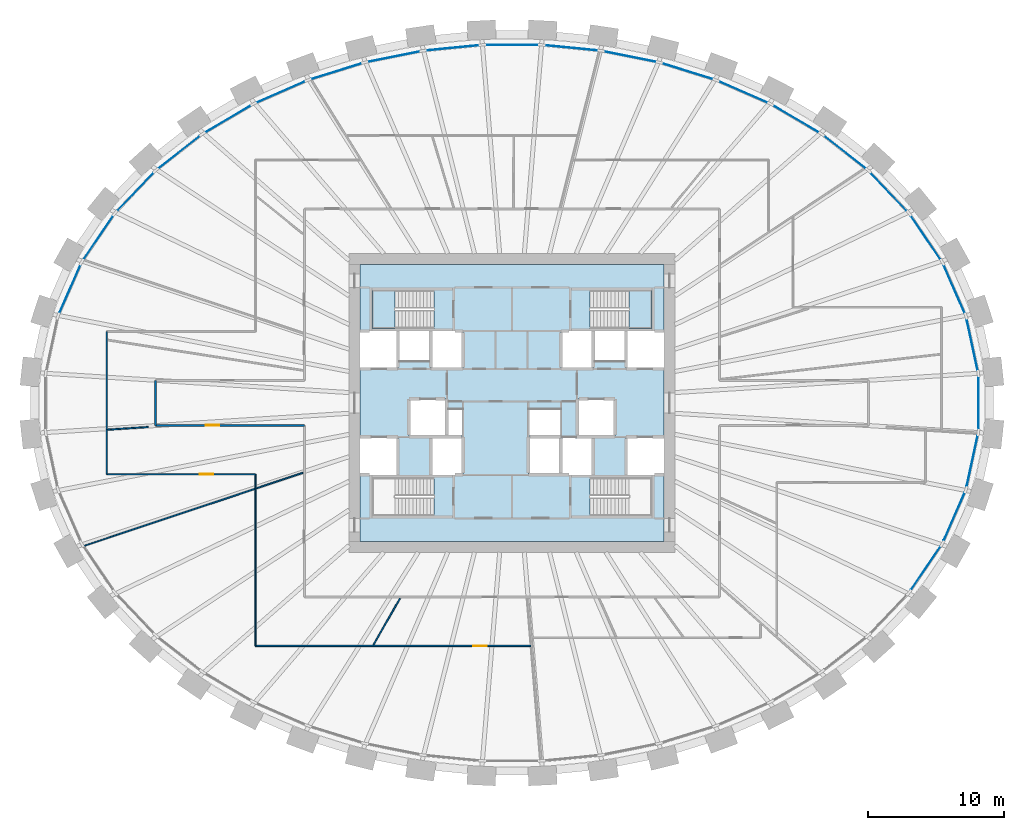
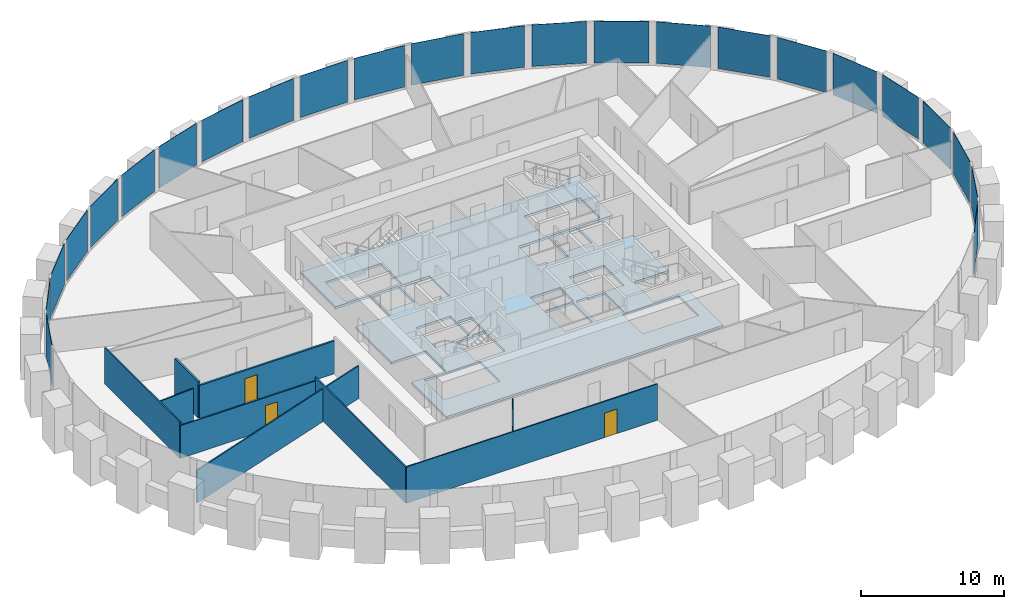
# One storey, part 5 of 11: 24 plates, 9 walls, 3 doors, 3 slabs, 3 openings, 3 elements without a shape of their own.
"""IFC4 building model written with IfcOpenShell, lengths in metres."""

from ifc_helpers import new_model, si_unit, direction, frame, frame_2d, origin, origin_2d, place, context, subcontext, project, spatial, polyline, rectangle, outline, extrude, source, transform, mapped, material, layer, layer_set, type_object, element, fill, aggregate, save


model = new_model("IFC4")

# Units and contexts
model_context = context("Model", 3, precision=1e-05, world=origin(), true_north=direction((0.0, 1.0)))
body_context = subcontext(model_context, "Body", "Model", "MODEL_VIEW")
ifc_project = project(units=[si_unit("LENGTHUNIT", "METRE"), si_unit("AREAUNIT", "SQUARE_METRE"), si_unit("VOLUMEUNIT", "CUBIC_METRE"), si_unit("PLANEANGLEUNIT", "RADIAN"), si_unit("MASSUNIT", "GRAM", prefix="KILO")], contexts=[model_context])

# Site, building, storey
site_placement = place(None, origin())
site = spatial("IfcSite", under=ifc_project, at=site_placement, CompositionType="ELEMENT")
building_placement = place(site_placement, origin())
building = spatial("IfcBuilding", under=site, at=building_placement, Name="Embergate Tower", CompositionType="ELEMENT")
storey_placement = place(building_placement, frame((0.0, 0.0, 215.10009765625)))
storey = spatial("IfcBuildingStorey", under=building, at=storey_placement, Name="L49", CompositionType="ELEMENT", Elevation=215.10009765625)

# Curtain wall, plates
ifc_material_1 = material(Name="Aluminium and glass", Category="aluminium")
curtain_wall_type = type_object("IfcCurtainWallType", Name="Recessed office glazing", PredefinedType="NOTDEFINED", material=ifc_material_1)
curtain_wall_placement = place(storey_placement, origin())
curtain_wall = element("IfcCurtainWall", 1, at=curtain_wall_placement, inside=storey, type_object=curtain_wall_type, Name="Recessed office glazing ring", ObjectType="RECESSED OFFICE GLAZING", PredefinedType="USERDEFINED")
ifc_material_2 = material(Name="Triple glazing, low-emissivity coating", Category="glass")
ifc_layer_1 = layer(ifc_material_2, 0.035888671875)
ifc_layer_set_1 = layer_set([ifc_layer_1], Name="Triple glazing, low-emissivity coating")
plate_type = type_object("IfcPlateType", Name="Office glazing unit", PredefinedType="CURTAIN_PANEL", material=ifc_layer_set_1)
shared_shape_1 = source(origin(), body_context, "Body", "SweptSolid", [
    extrude(rectangle(XDim=3.813232421875, YDim=0.035888671875, at=origin_2d()), origin(), (0.0, 0.0, 1.0), 3.550048828125),
])
plate_1_placement = place(storey_placement, frame((33.897216796875, 4.283447265625, 0.14990234375), z_axis=(0.0, 0.0, 1.0), x_axis=(-0.210394978653, 0.977616465163, 0.0)))
plate_1 = element("IfcPlate", 2, at=plate_1_placement, type_object=plate_type, Name="CW panel 1.1", PredefinedType="CURTAIN_PANEL", context=body_context, shape_type="MappedRepresentation", body=[
    mapped(shared_shape_1, transform((0.0, 0.0, 0.0))),
])
plate_2_placement = place(storey_placement, frame((33.897216796875, -4.283447265625, 0.14990234375), z_axis=(0.0, 0.0, 1.0), x_axis=(0.210394978653, 0.977616465163, 0.0)))
plate_2 = element("IfcPlate", 3, at=plate_2_placement, type_object=plate_type, Name="CW panel 43.1", PredefinedType="CURTAIN_PANEL", context=body_context, shape_type="MappedRepresentation", body=[
    mapped(shared_shape_1, transform((0.0, 0.0, 0.0))),
])
shared_shape_2 = source(origin(), body_context, "Body", "SweptSolid", [
    extrude(rectangle(XDim=3.820068359375, YDim=0.035888671875, at=origin_2d()), origin(), (0.0, 0.0, 1.0), 3.550048828125),
])
plate_3_placement = place(storey_placement, frame((32.569580078125, 8.388916015625, 0.14990234375), z_axis=(0.0, 0.0, 1.0), x_axis=(-0.401648904437, 0.915793730905, 0.0)))
plate_3 = element("IfcPlate", 4, at=plate_3_placement, type_object=plate_type, Name="CW panel 2.1", PredefinedType="CURTAIN_PANEL", context=body_context, shape_type="MappedRepresentation", body=[
    mapped(shared_shape_2, transform((0.0, 0.0, 0.0))),
])
plate_4_placement = place(storey_placement, frame((-32.569580078125, 8.388916015625, 0.14990234375), z_axis=(0.0, 0.0, 1.0), x_axis=(-0.401648904437, -0.915793730905, 0.0)))
plate_4 = element("IfcPlate", 5, at=plate_4_placement, type_object=plate_type, Name="CW panel 20.1", PredefinedType="CURTAIN_PANEL", context=body_context, shape_type="MappedRepresentation", body=[
    mapped(shared_shape_2, transform((0.0, 0.0, 0.0))),
])
plate_5_placement = place(storey_placement, frame((32.569580078125, -8.388916015625, 0.14990234375), z_axis=(0.0, 0.0, 1.0), x_axis=(0.401648904437, 0.915793730905, 0.0)))
plate_5 = element("IfcPlate", 6, at=plate_5_placement, type_object=plate_type, Name="CW panel 42.1", PredefinedType="CURTAIN_PANEL", context=body_context, shape_type="MappedRepresentation", body=[
    mapped(shared_shape_2, transform((0.0, 0.0, 0.0))),
])
shared_shape_3 = source(origin(), body_context, "Body", "SweptSolid", [
    extrude(rectangle(XDim=3.828857421875, YDim=0.035888671875, at=origin_2d()), origin(), (0.0, 0.0, 1.0), 3.550048828125),
])
plate_6_placement = place(storey_placement, frame((30.475341796875, 12.17431640625, 0.14990234375), z_axis=(0.0, 0.0, 1.0), x_axis=(-0.562337412243, 0.826907875638, 0.0)))
plate_6 = element("IfcPlate", 7, at=plate_6_placement, type_object=plate_type, Name="CW panel 3.1", PredefinedType="CURTAIN_PANEL", context=body_context, shape_type="MappedRepresentation", body=[
    mapped(shared_shape_3, transform((0.0, 0.0, 0.0))),
])
plate_7_placement = place(storey_placement, frame((-30.475341796875, 12.17431640625, 0.14990234375), z_axis=(0.0, 0.0, 1.0), x_axis=(-0.562337412243, -0.826907875638, 0.0)))
plate_7 = element("IfcPlate", 8, at=plate_7_placement, type_object=plate_type, Name="CW panel 19.1", PredefinedType="CURTAIN_PANEL", context=body_context, shape_type="MappedRepresentation", body=[
    mapped(shared_shape_3, transform((0.0, 0.0, 0.0))),
])
plate_8_placement = place(storey_placement, frame((30.475341796875, -12.17431640625, 0.14990234375), z_axis=(0.0, 0.0, 1.0), x_axis=(0.562337412243, 0.826907875638, 0.0)))
plate_8 = element("IfcPlate", 9, at=plate_8_placement, type_object=plate_type, Name="CW panel 41.1", PredefinedType="CURTAIN_PANEL", context=body_context, shape_type="MappedRepresentation", body=[
    mapped(shared_shape_3, transform((0.0, 0.0, 0.0))),
])
shared_shape_4 = source(origin(), body_context, "Body", "SweptSolid", [
    extrude(rectangle(XDim=3.83740234375, YDim=0.035888671875, at=origin_2d()), origin(), (0.0, 0.0, 1.0), 3.550048828125),
])
plate_9_placement = place(storey_placement, frame((27.748779296875, 15.549072265625, 0.14990234375), z_axis=(0.0, 0.0, 1.0), x_axis=(-0.690128732196, 0.72368662624, 0.0)))
plate_9 = element("IfcPlate", 10, at=plate_9_placement, type_object=plate_type, Name="CW panel 4.1", PredefinedType="CURTAIN_PANEL", context=body_context, shape_type="MappedRepresentation", body=[
    mapped(shared_shape_4, transform((0.0, 0.0, 0.0))),
])
plate_10_placement = place(storey_placement, frame((-27.748779296875, 15.549072265625, 0.14990234375), z_axis=(0.0, 0.0, 1.0), x_axis=(-0.690128732196, -0.72368662624, 0.0)))
plate_10 = element("IfcPlate", 11, at=plate_10_placement, type_object=plate_type, Name="CW panel 18.1", PredefinedType="CURTAIN_PANEL", context=body_context, shape_type="MappedRepresentation", body=[
    mapped(shared_shape_4, transform((0.0, 0.0, 0.0))),
])
shared_shape_5 = source(origin(), body_context, "Body", "SweptSolid", [
    extrude(rectangle(XDim=3.844970703125, YDim=0.035888671875, at=origin_2d()), origin(), (0.0, 0.0, 1.0), 3.550048828125),
])
plate_11_placement = place(storey_placement, frame((24.52490234375, 18.468505859375, 0.14990234375), z_axis=(0.0, 0.0, 1.0), x_axis=(-0.788315823873, 0.615270803656, 0.0)))
plate_11 = element("IfcPlate", 12, at=plate_11_placement, type_object=plate_type, Name="CW panel 5.1", PredefinedType="CURTAIN_PANEL", context=body_context, shape_type="MappedRepresentation", body=[
    mapped(shared_shape_5, transform((0.0, 0.0, 0.0))),
])
plate_12_placement = place(storey_placement, frame((-24.52490234375, 18.468505859375, 0.14990234375), z_axis=(0.0, 0.0, 1.0), x_axis=(-0.788315823873, -0.615270803656, 0.0)))
plate_12 = element("IfcPlate", 13, at=plate_12_placement, type_object=plate_type, Name="CW panel 17.1", PredefinedType="CURTAIN_PANEL", context=body_context, shape_type="MappedRepresentation", body=[
    mapped(shared_shape_5, transform((0.0, 0.0, 0.0))),
])
shared_shape_6 = source(origin(), body_context, "Body", "SweptSolid", [
    extrude(rectangle(XDim=3.850830078125, YDim=0.035888671875, at=origin_2d()), origin(), (0.0, 0.0, 1.0), 3.550048828125),
])
plate_13_placement = place(storey_placement, frame((20.920654296875, 20.9189453125, 0.14990234375), z_axis=(0.0, 0.0, 1.0), x_axis=(-0.862049629534, 0.506823871004, 0.0)))
plate_13 = element("IfcPlate", 14, at=plate_13_placement, type_object=plate_type, Name="CW panel 6.1", PredefinedType="CURTAIN_PANEL", context=body_context, shape_type="MappedRepresentation", body=[
    mapped(shared_shape_6, transform((0.0, 0.0, 0.0))),
])
plate_14_placement = place(storey_placement, frame((-20.920654296875, 20.9189453125, 0.14990234375), z_axis=(0.0, 0.0, 1.0), x_axis=(-0.862049629534, -0.506823871004, 0.0)))
plate_14 = element("IfcPlate", 15, at=plate_14_placement, type_object=plate_type, Name="CW panel 16.1", PredefinedType="CURTAIN_PANEL", context=body_context, shape_type="MappedRepresentation", body=[
    mapped(shared_shape_6, transform((0.0, 0.0, 0.0))),
])
shared_shape_7 = source(origin(), body_context, "Body", "SweptSolid", [
    extrude(rectangle(XDim=3.855224609375, YDim=0.035888671875, at=origin_2d()), origin(), (0.0, 0.0, 1.0), 3.550048828125),
])
plate_15_placement = place(storey_placement, frame((17.0322265625, 22.903076171875, 0.14990234375), z_axis=(0.0, 0.0, 1.0), x_axis=(-0.916233414734, 0.400644892298, 0.0)))
plate_15 = element("IfcPlate", 16, at=plate_15_placement, type_object=plate_type, Name="CW panel 7.1", PredefinedType="CURTAIN_PANEL", context=body_context, shape_type="MappedRepresentation", body=[
    mapped(shared_shape_7, transform((0.0, 0.0, 0.0))),
])
plate_16_placement = place(storey_placement, frame((-17.0322265625, 22.903076171875, 0.14990234375), z_axis=(0.0, 0.0, 1.0), x_axis=(-0.916233414734, -0.400644892298, 0.0)))
plate_16 = element("IfcPlate", 17, at=plate_16_placement, type_object=plate_type, Name="CW panel 15.1", PredefinedType="CURTAIN_PANEL", context=body_context, shape_type="MappedRepresentation", body=[
    mapped(shared_shape_7, transform((0.0, 0.0, 0.0))),
])
shared_shape_8 = source(origin(), body_context, "Body", "SweptSolid", [
    extrude(rectangle(XDim=3.8583984375, YDim=0.035888671875, at=origin_2d()), origin(), (0.0, 0.0, 1.0), 3.550048828125),
])
plate_17_placement = place(storey_placement, frame((12.9375, 24.430419921875, 0.14990234375), z_axis=(0.0, 0.0, 1.0), x_axis=(-0.954770660302, 0.297343212847, 0.0)))
plate_17 = element("IfcPlate", 18, at=plate_17_placement, type_object=plate_type, Name="CW panel 8.1", PredefinedType="CURTAIN_PANEL", context=body_context, shape_type="MappedRepresentation", body=[
    mapped(shared_shape_8, transform((0.0, 0.0, 0.0))),
])
plate_18_placement = place(storey_placement, frame((-12.9375, 24.430419921875, 0.14990234375), z_axis=(0.0, 0.0, 1.0), x_axis=(-0.954770660302, -0.297343212847, 0.0)))
plate_18 = element("IfcPlate", 19, at=plate_18_placement, type_object=plate_type, Name="CW panel 14.1", PredefinedType="CURTAIN_PANEL", context=body_context, shape_type="MappedRepresentation", body=[
    mapped(shared_shape_8, transform((0.0, 0.0, 0.0))),
])
shared_shape_9 = source(origin(), body_context, "Body", "SweptSolid", [
    extrude(rectangle(XDim=3.860595703125, YDim=0.035888671875, at=origin_2d()), origin(), (0.0, 0.0, 1.0), 3.550048828125),
])
plate_19_placement = place(storey_placement, frame((8.69970703125, 25.51220703125, 0.14990234375), z_axis=(0.0, 0.0, 1.0), x_axis=(-0.980475221003, 0.196642673395, 0.0)))
plate_19 = element("IfcPlate", 20, at=plate_19_placement, type_object=plate_type, Name="CW panel 9.1", PredefinedType="CURTAIN_PANEL", context=body_context, shape_type="MappedRepresentation", body=[
    mapped(shared_shape_9, transform((0.0, 0.0, 0.0))),
])
plate_20_placement = place(storey_placement, frame((-8.69970703125, 25.51220703125, 0.14990234375), z_axis=(0.0, 0.0, 1.0), x_axis=(-0.980475221003, -0.196642673395, 0.0)))
plate_20 = element("IfcPlate", 21, at=plate_20_placement, type_object=plate_type, Name="CW panel 13.1", PredefinedType="CURTAIN_PANEL", context=body_context, shape_type="MappedRepresentation", body=[
    mapped(shared_shape_9, transform((0.0, 0.0, 0.0))),
])
shared_shape_10 = source(origin(), body_context, "Body", "SweptSolid", [
    extrude(rectangle(XDim=3.862060546875, YDim=0.035888671875, at=origin_2d()), origin(), (0.0, 0.0, 1.0), 3.550048828125),
])
plate_21_placement = place(storey_placement, frame((4.37158203125, 26.1572265625, 0.14990234375), z_axis=(0.0, 0.0, 1.0), x_axis=(-0.995203014042, 0.097831287645, 0.0)))
plate_21 = element("IfcPlate", 22, at=plate_21_placement, type_object=plate_type, Name="CW panel 10.1", PredefinedType="CURTAIN_PANEL", context=body_context, shape_type="MappedRepresentation", body=[
    mapped(shared_shape_10, transform((0.0, 0.0, 0.0))),
])
plate_22_placement = place(storey_placement, frame((-4.37158203125, 26.1572265625, 0.14990234375), z_axis=(0.0, 0.0, 1.0), x_axis=(-0.995203014042, -0.097831287645, 0.0)))
plate_22 = element("IfcPlate", 23, at=plate_22_placement, type_object=plate_type, Name="CW panel 12.1", PredefinedType="CURTAIN_PANEL", context=body_context, shape_type="MappedRepresentation", body=[
    mapped(shared_shape_10, transform((0.0, 0.0, 0.0))),
])
shared_shape_11 = source(origin(), body_context, "Body", "SweptSolid", [
    extrude(rectangle(XDim=3.8623046875, YDim=0.035888671875, at=origin_2d()), origin(), (0.0, 0.0, 1.0), 3.550048828125),
])
plate_23_placement = place(storey_placement, frame((0.0, 26.37158203125, 0.14990234375), z_axis=(0.0, 0.0, 1.0), x_axis=(-1.0, 0.0, 0.0)))
plate_23 = element("IfcPlate", 24, at=plate_23_placement, type_object=plate_type, Name="CW panel 11.1", PredefinedType="CURTAIN_PANEL", context=body_context, shape_type="MappedRepresentation", body=[
    mapped(shared_shape_11, transform((0.0, 0.0, 0.0))),
])
shared_shape_12 = source(origin(), body_context, "Body", "SweptSolid", [
    extrude(rectangle(XDim=3.810546875, YDim=0.035888671875, at=origin_2d()), origin(), (0.0, 0.0, 1.0), 3.550048828125),
])
plate_24_placement = place(storey_placement, frame((34.35302734375, 0.0, 0.14990234375), z_axis=(0.0, 0.0, 1.0), x_axis=(0.0, 1.0, 0.0)))
plate_24 = element("IfcPlate", 25, at=plate_24_placement, type_object=plate_type, Name="CW panel 44.1", PredefinedType="CURTAIN_PANEL", context=body_context, shape_type="MappedRepresentation", body=[
    mapped(shared_shape_12, transform((0.0, 0.0, 0.0))),
])
aggregate(curtain_wall, [plate_1, plate_3, plate_6, plate_9, plate_11, plate_13, plate_15, plate_17, plate_19, plate_21, plate_23, plate_22, plate_20, plate_18, plate_16, plate_14, plate_12, plate_10, plate_7, plate_4, plate_8, plate_5, plate_2, plate_24])

# Stair, slab
ifc_material_3 = material(Name="Exit stair")
stair_type = type_object("IfcStairType", Name="Exit stair", PredefinedType="HALF_TURN_STAIR", material=ifc_material_3)
stair_1_placement = place(storey_placement, origin())
stair_1 = element("IfcStair", 26, at=stair_1_placement, inside=storey, type_object=stair_type, Name="L49 Exit stair 1", PredefinedType="HALF_TURN_STAIR")
ifc_material_4 = material(Name="Concrete C40", Category="concrete")
ifc_layer_2 = layer(ifc_material_4, 0.199951171875)
ifc_layer_set_2 = layer_set([ifc_layer_2], Name="Concrete C40")
slab_type_1 = type_object("IfcSlabType", Name="Stair landing reinforced concrete", PredefinedType="LANDING", material=ifc_layer_set_2)
shared_shape_13 = source(origin(), body_context, "Body", "SweptSolid", [
    extrude(outline(polyline([(0.0, 0.0), (1.68994140625, 0.0), (1.68994140625, 2.800048828125), (0.0, 2.800048828125), (0.0, 0.0)])), origin(), (0.0, 0.0, 1.0), 0.199951171875),
])
slab_1_placement = place(storey_placement, frame((-10.300048828125, 5.5, 1.75)))
slab_1 = element("IfcSlab", 27, at=slab_1_placement, type_object=slab_type_1, Name="ST1 landing 1", PredefinedType="LANDING", context=body_context, shape_type="MappedRepresentation", body=[
    mapped(shared_shape_13, transform((0.0, 0.0, 0.0))),
])
aggregate(stair_1, [slab_1])

stair_2_placement = place(storey_placement, origin())
stair_2 = element("IfcStair", 28, at=stair_2_placement, inside=storey, type_object=stair_type, Name="L49 Exit stair 2", PredefinedType="HALF_TURN_STAIR")
slab_2_placement = place(storey_placement, frame((8.610107421875, 5.5, 1.75)))
slab_2 = element("IfcSlab", 29, at=slab_2_placement, type_object=slab_type_1, Name="ST2 landing 1", PredefinedType="LANDING", context=body_context, shape_type="MappedRepresentation", body=[
    mapped(shared_shape_13, transform((0.0, 0.0, 0.0))),
])
aggregate(stair_2, [slab_2])

# Slab
ifc_layer_3 = layer(ifc_material_4, 0.199951171875)
ifc_layer_set_3 = layer_set([ifc_layer_3], Name="Concrete C40")
slab_type_2 = type_object("IfcSlabType", Name="Core floor slab 200 reinforced concrete", PredefinedType="FLOOR", material=ifc_layer_set_3)
shared_shape_14 = source(origin(), body_context, "Body", "SweptSolid", [
    extrude(outline(polyline([(0.0, 0.0), (22.39990234375, 0.0), (22.39990234375, 4.89990234375), (19.599853515625, 4.89990234375), (19.599853515625, 7.699951171875), (22.39990234375, 7.699951171875), (22.39990234375, 12.699951171875), (19.599853515625, 12.699951171875), (19.599853515625, 15.5), (22.39990234375, 15.5), (22.39990234375, 20.39990234375), (0.0, 20.39990234375), (0.0, 15.5), (2.800048828125, 15.5), (2.800048828125, 12.699951171875), (0.0, 12.699951171875), (0.0, 7.699951171875), (2.800048828125, 7.699951171875), (2.800048828125, 4.89990234375), (0.0, 4.89990234375), (0.0, 0.0)]), holes=[polyline([(0.89990234375, 1.89990234375), (0.89990234375, 4.699951171875), (5.43994140625, 4.699951171875), (5.43994140625, 1.89990234375), (0.89990234375, 1.89990234375)]), polyline([(16.9599609375, 1.89990234375), (16.9599609375, 4.699951171875), (21.5, 4.699951171875), (21.5, 1.89990234375), (16.9599609375, 1.89990234375)]), polyline([(5.199951171875, 4.89990234375), (5.199951171875, 7.574951171875), (6.52490234375, 7.574951171875), (6.52490234375, 7.699951171875), (7.599853515625, 7.699951171875), (7.599853515625, 4.89990234375), (5.199951171875, 4.89990234375)]), polyline([(12.39990234375, 4.89990234375), (12.39990234375, 7.699951171875), (14.675048828125, 7.699951171875), (14.675048828125, 4.89990234375), (12.39990234375, 4.89990234375)]), polyline([(14.925048828125, 4.89990234375), (14.925048828125, 7.699951171875), (15.875, 7.699951171875), (15.875, 7.574951171875), (17.199951171875, 7.574951171875), (17.199951171875, 4.89990234375), (14.925048828125, 4.89990234375)]), polyline([(3.599853515625, 7.699951171875), (3.599853515625, 10.5), (6.39990234375, 10.5), (6.39990234375, 7.824951171875), (5.074951171875, 7.824951171875), (5.074951171875, 7.699951171875), (3.599853515625, 7.699951171875)]), polyline([(17.324951171875, 7.699951171875), (17.324951171875, 7.824951171875), (16.0, 7.824951171875), (16.0, 10.5), (18.800048828125, 10.5), (18.800048828125, 7.699951171875), (17.324951171875, 7.699951171875)]), polyline([(6.52490234375, 7.824951171875), (6.52490234375, 9.699951171875), (7.599853515625, 9.699951171875), (7.599853515625, 7.824951171875), (6.52490234375, 7.824951171875)]), polyline([(12.39990234375, 7.824951171875), (12.39990234375, 9.699951171875), (14.800048828125, 9.699951171875), (14.800048828125, 7.824951171875), (14.675048828125, 7.824951171875), (12.39990234375, 7.824951171875)]), polyline([(5.199951171875, 12.699951171875), (5.199951171875, 15.5), (7.599853515625, 15.5), (7.599853515625, 12.699951171875), (5.199951171875, 12.699951171875)]), polyline([(14.800048828125, 12.699951171875), (14.800048828125, 15.5), (17.199951171875, 15.5), (17.199951171875, 12.699951171875), (14.800048828125, 12.699951171875)]), polyline([(2.925048828125, 13.300048828125), (2.925048828125, 15.5), (5.074951171875, 15.5), (5.074951171875, 13.300048828125), (2.925048828125, 13.300048828125)]), polyline([(17.324951171875, 13.300048828125), (17.324951171875, 15.5), (19.474853515625, 15.5), (19.474853515625, 13.300048828125), (17.324951171875, 13.300048828125)]), polyline([(0.89990234375, 15.699951171875), (0.89990234375, 18.5), (5.43994140625, 18.5), (5.43994140625, 15.699951171875), (0.89990234375, 15.699951171875)]), polyline([(16.9599609375, 15.699951171875), (16.9599609375, 18.5), (21.5, 18.5), (21.5, 15.699951171875), (16.9599609375, 15.699951171875)])]), origin(), (0.0, 0.0, 1.0), 0.2001953125),
])
slab_3_placement = place(storey_placement, frame((-11.199951171875, -10.199951171875, -0.2001953125)))
element("IfcSlab", 30, at=slab_3_placement, inside=storey, type_object=slab_type_2, Name="Core floor slab", PredefinedType="FLOOR", context=body_context, shape_type="MappedRepresentation", body=[
    mapped(shared_shape_14, transform((0.0, 0.0, 0.0))),
])

# Wall, opening, door
ifc_material_5 = material(Name="Corridor wall dry-lined 150")
ifc_layer_4 = layer(ifc_material_5, 0.14990234375)
ifc_layer_set_4 = layer_set([ifc_layer_4], Name="Corridor wall dry-lined 150")
wall_type_1 = type_object("IfcWallType", Name="Corridor wall dry-lined 150", PredefinedType="PARTITIONING", material=ifc_layer_set_4)
shared_shape_15 = source(origin(), body_context, "Body", "SweptSolid", [
    extrude(rectangle(XDim=10.949951171875, YDim=0.14990234375, at=frame_2d((5.47509765625, 0.0))), origin(), (0.0, 0.0, 1.0), 2.7998046875),
])
wall_1_placement = place(storey_placement, frame((-26.25, -1.64990234375, 0.0), z_axis=(0.0, 0.0, 1.0), x_axis=(1.0, 0.0, 0.0)))
wall_1 = element("IfcWall", 31, at=wall_1_placement, inside=storey, type_object=wall_type_1, Name="IP-2 wall", PredefinedType="PARTITIONING", context=body_context, shape_type="MappedRepresentation", body=[
    mapped(shared_shape_15, transform((0.0, 0.0, 0.0))),
])
shared_shape_16 = source(origin(), body_context, "Body", "SweptSolid", [
    extrude(rectangle(XDim=1.0, YDim=2.10009765625, at=frame_2d((0.5, 1.050048828125))), frame((0.0, 0.0849609375, 0.0), z_axis=(0.0, -1.0, 0.0), x_axis=(1.0, 0.0, 0.0)), (0.0, 0.0, 1.0), 0.169921875),
])
opening_1_placement = place(wall_1_placement, frame((3.68310546875, 0.0, 0.0)))
opening_1 = element("IfcOpeningElement", 32, at=opening_1_placement, cuts=wall_1, Name="Opening ID-2", PredefinedType="OPENING", context=body_context, shape_type="MappedRepresentation", body=[
    mapped(shared_shape_16, transform((0.0, 0.0, 0.0))),
])
ifc_material_6 = material(Name="Interior door 1000")
door_type = type_object("IfcDoorType", Name="Interior door 1000", OperationType="SINGLE_SWING_LEFT", PredefinedType="DOOR", material=ifc_material_6)
shared_shape_17 = source(origin(), body_context, "Body", "SweptSolid", [
    extrude(rectangle(XDim=1.0, YDim=2.10009765625, at=frame_2d((0.5, 1.050048828125))), frame((0.0, 0.02490234375, 0.0), z_axis=(0.0, -1.0, 0.0), x_axis=(1.0, 0.0, 0.0)), (0.0, 0.0, 1.0), 0.050048828125),
])
door_1_placement = place(opening_1_placement, origin())
door_1 = element("IfcDoor", 33, at=door_1_placement, inside=storey, type_object=door_type, Name="ID-2 door", OperationType="SINGLE_SWING_RIGHT", OverallHeight=2.10009765625, OverallWidth=1.0, PredefinedType="DOOR", context=body_context, shape_type="MappedRepresentation", body=[
    mapped(shared_shape_17, transform((0.0, 0.0, 0.0))),
])
fill(opening_1, door_1)

# Walls
shared_shape_18 = source(origin(), body_context, "Body", "SweptSolid", [
    extrude(rectangle(XDim=3.2998046875, YDim=0.14990234375, at=frame_2d((1.64990234375, 0.0))), origin(), (0.0, 0.0, 1.0), 3.099853515625),
])
wall_2_placement = place(storey_placement, frame((-26.25, 1.64990234375, 0.0), z_axis=(0.0, 0.0, 1.0), x_axis=(0.0, -1.0, 0.0)))
element("IfcWall", 34, at=wall_2_placement, inside=storey, type_object=wall_type_1, Name="IP-2 wall", PredefinedType="PARTITIONING", context=body_context, shape_type="MappedRepresentation", body=[
    mapped(shared_shape_18, transform((0.0, 0.0, 0.0))),
])
ifc_material_7 = material(Name="Partition dry-lined 100")
ifc_layer_5 = layer(ifc_material_7, 0.10009765625)
ifc_layer_set_5 = layer_set([ifc_layer_5], Name="Partition dry-lined 100")
wall_type_2 = type_object("IfcWallType", Name="Partition dry-lined 100", PredefinedType="PARTITIONING", material=ifc_layer_set_5)
shared_shape_19 = source(origin(), body_context, "Body", "SweptSolid", [
    extrude(rectangle(XDim=3.947265625, YDim=0.10009765625, at=frame_2d((1.9736328125, 0.0))), origin(), (0.0, 0.0, 1.0), 3.099853515625),
])
wall_3_placement = place(storey_placement, frame((-8.2490234375, -14.39990234375, 0.0), z_axis=(0.0, 0.0, 1.0), x_axis=(-0.497044565663, -0.867725013898, 0.0)))
element("IfcWall", 35, at=wall_3_placement, inside=storey, type_object=wall_type_2, Name="IP-1 wall", PredefinedType="PARTITIONING", context=body_context, shape_type="MappedRepresentation", body=[
    mapped(shared_shape_19, transform((0.0, 0.0, 0.0))),
])
shared_shape_20 = source(origin(), body_context, "Body", "SweptSolid", [
    extrude(rectangle(XDim=17.070556640625, YDim=0.10009765625, at=frame_2d((8.53515625, 0.0))), origin(), (0.0, 0.0, 1.0), 2.7998046875),
])
wall_4_placement = place(storey_placement, frame((-31.58203125, -10.550048828125, 0.0), z_axis=(0.0, 0.0, 1.0), x_axis=(0.948472850585, 0.316858409552, 0.0)))
element("IfcWall", 36, at=wall_4_placement, inside=storey, type_object=wall_type_2, Name="IP-1 wall", PredefinedType="PARTITIONING", context=body_context, shape_type="MappedRepresentation", body=[
    mapped(shared_shape_20, transform((0.0, 0.0, 0.0))),
])
shared_shape_21 = source(origin(), body_context, "Body", "SweptSolid", [
    extrude(rectangle(XDim=12.64990234375, YDim=0.10009765625, at=frame_2d((6.324951171875, 0.0))), origin(), (0.0, 0.0, 1.0), 3.099853515625),
])
wall_5_placement = place(storey_placement, frame((-18.89990234375, -5.25, 0.0), z_axis=(0.0, 0.0, 1.0), x_axis=(0.0, -1.0, 0.0)))
element("IfcWall", 37, at=wall_5_placement, inside=storey, type_object=wall_type_2, Name="IP-1 wall", PredefinedType="PARTITIONING", context=body_context, shape_type="MappedRepresentation", body=[
    mapped(shared_shape_21, transform((0.0, 0.0, 0.0))),
])

# Wall, opening, door
shared_shape_22 = source(origin(), body_context, "Body", "SweptSolid", [
    extrude(rectangle(XDim=20.31298828125, YDim=0.10009765625, at=frame_2d((10.156494140625, 0.0))), origin(), (0.0, 0.0, 1.0), 3.099853515625),
])
wall_6_placement = place(storey_placement, frame((-18.89990234375, -17.89990234375, 0.0), z_axis=(0.0, 0.0, 1.0), x_axis=(1.0, 0.0, 0.0)))
wall_6 = element("IfcWall", 38, at=wall_6_placement, inside=storey, type_object=wall_type_2, Name="IP-1 wall", PredefinedType="PARTITIONING", context=body_context, shape_type="MappedRepresentation", body=[
    mapped(shared_shape_22, transform((0.0, 0.0, 0.0))),
])
shared_shape_23 = source(origin(), body_context, "Body", "SweptSolid", [
    extrude(rectangle(XDim=1.0, YDim=2.10009765625, at=frame_2d((0.5, 1.050048828125))), frame((0.0, 0.06005859375, 0.0), z_axis=(0.0, -1.0, 0.0), x_axis=(1.0, 0.0, 0.0)), (0.0, 0.0, 1.0), 0.1201171875),
])
opening_2_placement = place(wall_6_placement, frame((16.028076171875, 0.0, 0.0)))
opening_2 = element("IfcOpeningElement", 39, at=opening_2_placement, cuts=wall_6, Name="Opening ID-2", PredefinedType="OPENING", context=body_context, shape_type="MappedRepresentation", body=[
    mapped(shared_shape_23, transform((0.0, 0.0, 0.0))),
])
door_2_placement = place(opening_2_placement, origin())
door_2 = element("IfcDoor", 40, at=door_2_placement, inside=storey, type_object=door_type, Name="ID-2 door", OperationType="SINGLE_SWING_LEFT", OverallHeight=2.10009765625, OverallWidth=1.0, PredefinedType="DOOR", context=body_context, shape_type="MappedRepresentation", body=[
    mapped(shared_shape_17, transform((0.0, 0.0, 0.0))),
])
fill(opening_2, door_2)

# Wall
shared_shape_24 = source(origin(), body_context, "Body", "SweptSolid", [
    extrude(rectangle(XDim=10.5, YDim=0.10009765625, at=frame_2d((5.25, 0.0))), origin(), (0.0, 0.0, 1.0), 3.099853515625),
])
wall_7_placement = place(storey_placement, frame((-29.85009765625, -5.25, 0.0), z_axis=(0.0, 0.0, 1.0), x_axis=(0.0, 1.0, 0.0)))
element("IfcWall", 41, at=wall_7_placement, inside=storey, type_object=wall_type_2, Name="IP-1 wall", PredefinedType="PARTITIONING", context=body_context, shape_type="MappedRepresentation", body=[
    mapped(shared_shape_24, transform((0.0, 0.0, 0.0))),
])

# Wall, opening, door
shared_shape_25 = source(origin(), body_context, "Body", "SweptSolid", [
    extrude(rectangle(XDim=10.9501953125, YDim=0.10009765625, at=frame_2d((5.47509765625, 0.0))), origin(), (0.0, 0.0, 1.0), 2.7998046875),
])
wall_8_placement = place(storey_placement, frame((-18.89990234375, -5.25, 0.0), z_axis=(0.0, 0.0, 1.0), x_axis=(-1.0, 0.0, 0.0)))
wall_8 = element("IfcWall", 42, at=wall_8_placement, inside=storey, type_object=wall_type_2, Name="IP-1 wall", PredefinedType="PARTITIONING", context=body_context, shape_type="MappedRepresentation", body=[
    mapped(shared_shape_25, transform((0.0, 0.0, 0.0))),
])
opening_3_placement = place(wall_8_placement, frame((3.10498046875, 0.0, 0.0)))
opening_3 = element("IfcOpeningElement", 43, at=opening_3_placement, cuts=wall_8, Name="Opening ID-2", PredefinedType="OPENING", context=body_context, shape_type="MappedRepresentation", body=[
    mapped(shared_shape_23, transform((0.0, 0.0, 0.0))),
])
door_3_placement = place(opening_3_placement, origin())
door_3 = element("IfcDoor", 44, at=door_3_placement, inside=storey, type_object=door_type, Name="ID-2 door", OperationType="SINGLE_SWING_RIGHT", OverallHeight=2.10009765625, OverallWidth=1.0, PredefinedType="DOOR", context=body_context, shape_type="MappedRepresentation", body=[
    mapped(shared_shape_17, transform((0.0, 0.0, 0.0))),
])
fill(opening_3, door_3)

# Wall
shared_shape_26 = source(origin(), body_context, "Body", "SweptSolid", [
    extrude(rectangle(XDim=3.0185546875, YDim=0.10009765625, at=frame_2d((1.50927734375, 0.0))), origin(), (0.0, 0.0, 1.0), 2.7998046875),
])
wall_9_placement = place(storey_placement, frame((-26.7880859375, -1.77490234375, 0.0), z_axis=(0.0, 0.0, 1.0), x_axis=(-0.997819736078, -0.065998290074, 0.0)))
element("IfcWall", 45, at=wall_9_placement, inside=storey, type_object=wall_type_2, Name="IP-1 wall", PredefinedType="PARTITIONING", context=body_context, shape_type="MappedRepresentation", body=[
    mapped(shared_shape_26, transform((0.0, 0.0, 0.0))),
])

save(model, "model.ifc")
